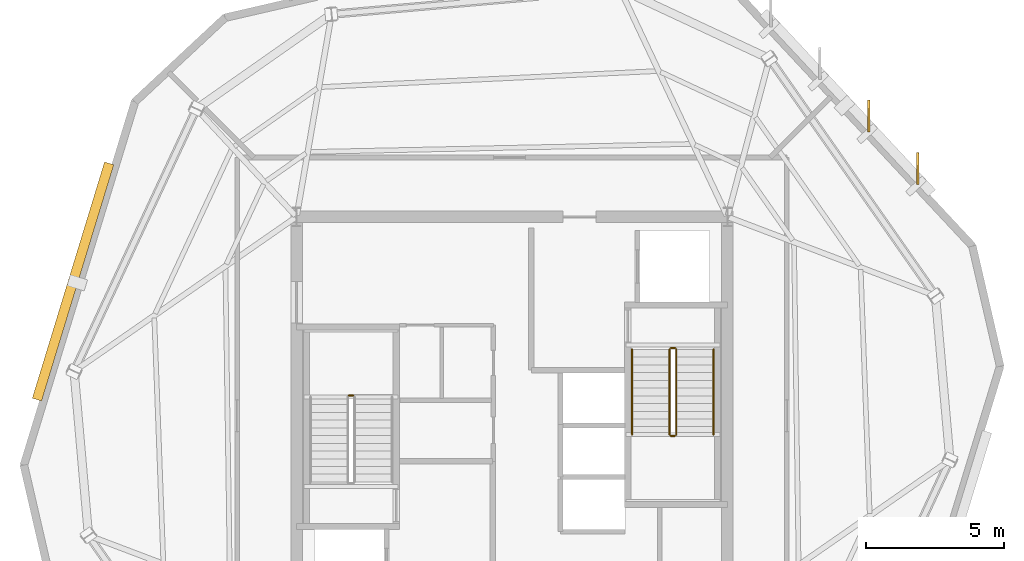
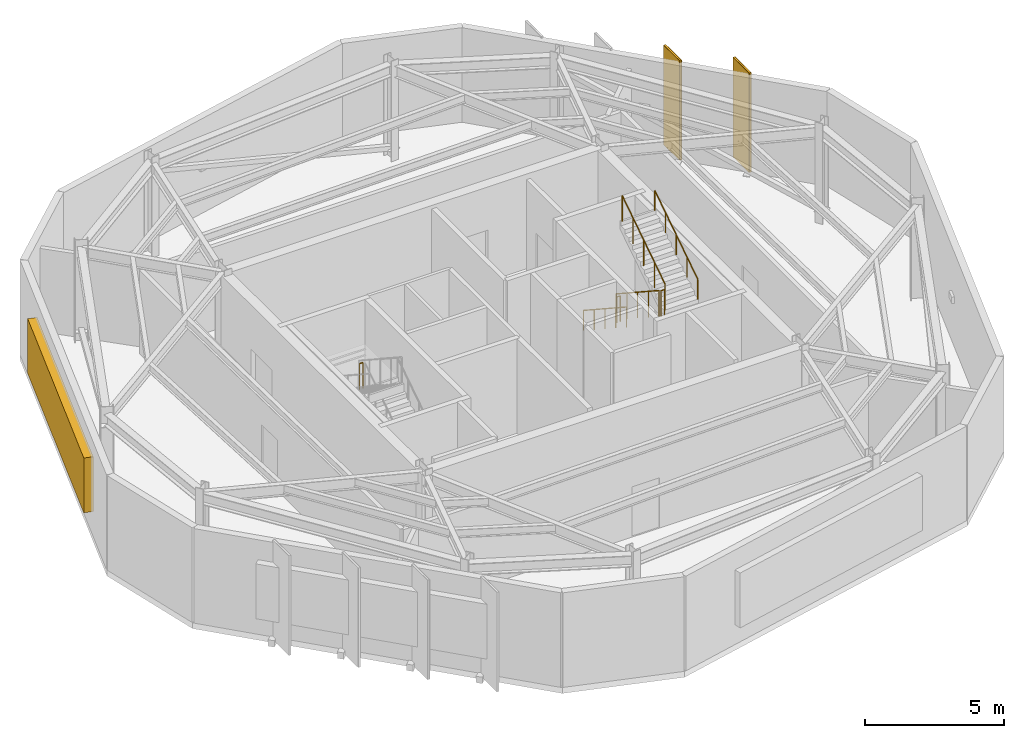
# One storey, part 6 of 7: 7 railings, 3 shading devices, 2 coverings.
"""IFC4 building model written with IfcOpenShell, lengths in metres."""

from ifc_helpers import new_model, si_unit, direction, frame, origin, origin_2d, place, context, subcontext, project, spatial, rectangle, circle, extrude, material, layer, layer_set, type_object, element, save


model = new_model("IFC4")

# Units and contexts
model_context = context("Model", 3, precision=1e-05, world=origin(), true_north=direction((0.0, 1.0)))
body_context = subcontext(model_context, "Body", "Model", "MODEL_VIEW")
ifc_project = project(units=[si_unit("LENGTHUNIT", "METRE"), si_unit("AREAUNIT", "SQUARE_METRE"), si_unit("VOLUMEUNIT", "CUBIC_METRE"), si_unit("PLANEANGLEUNIT", "RADIAN"), si_unit("MASSUNIT", "GRAM", prefix="KILO")], contexts=[model_context])

# Site, building, storey
site_placement = place(None, origin())
site = spatial("IfcSite", under=ifc_project, at=site_placement, CompositionType="ELEMENT")
building_placement = place(site_placement, origin())
building = spatial("IfcBuilding", under=site, at=building_placement, Name="Kranzbogen Civic Tower", CompositionType="ELEMENT")
storey_placement = place(building_placement, frame((0.0, 0.0, 318.199951171875)))
storey = spatial("IfcBuildingStorey", under=building, at=storey_placement, Name="L77", CompositionType="ELEMENT", Elevation=318.199951171875)

# Coverings
ifc_material_1 = material(Name="Pale Anodised Aluminium", Category="aluminium")
ifc_layer = layer(ifc_material_1, 0.02490234375, Name="Pale Anodised Aluminium")
ifc_layer_set = layer_set([ifc_layer], Name="Pale Anodised Aluminium")
covering_type = type_object("IfcCoveringType", Name="Anodised Aluminium Vertical Fin Cladding 25 mm", PredefinedType="CLADDING", material=ifc_layer_set)
for number, where, z_axis, x_axis, name in (
    (1, (39.693115234375, 33.947021484375, -0.14013671875), (0.0, 0.0, 1.0), (-0.005968990597, 0.999982185417, 0.0), "L77 vertical fin pale-metal cladding F6-1"),
    (2, (37.919921875, 35.84912109375, -0.14013671875), (0.0, 0.0, 1.0), (-0.005968990597, 0.999982185417, 0.0), "L77 vertical fin pale-metal cladding F6-2"),
):
    element("IfcCovering", number, at=place(storey_placement, frame(where, z_axis=z_axis, x_axis=x_axis)), inside=storey, type_object=covering_type, Name=name, PredefinedType="CLADDING", context=body_context, shape_type="SweptSolid", body=[
        extrude(rectangle(XDim=1.14990234375, YDim=0.094970703125, at=origin_2d()), origin(), (0.0, 0.0, 1.0), 4.360107421875),
    ])

# Railings
ifc_material_2 = material(Name="Steel S355", Category="steel")
railing_type_1 = type_object("IfcRailingType", Name="Internal Stair and Void Steel Guardrail 1150", PredefinedType="GUARDRAIL", material=ifc_material_2)
railing_1_placement = place(storey_placement, frame((19.25, 25.72998046875, 2.199951171875)))
element("IfcRailing", 3, at=railing_1_placement, inside=storey, type_object=railing_type_1, Name="L77 ST-T1 stair guard 2", PredefinedType="GUARDRAIL", context=body_context, shape_type="SweptSolid", body=[
    extrude(circle(Radius=0.02392578125, at=origin_2d()), frame((0.0, 0.0, 1.1259765625), z_axis=(-1.0, 0.0, 0.0), x_axis=(0.0, -1.0, 0.0)), (0.0, 0.0, 1.0), 0.14990234375),
    extrude(circle(Radius=0.02099609375, at=origin_2d()), origin(), (0.0, 0.0, 1.0), 1.101806640625),
    extrude(circle(Radius=0.02099609375, at=origin_2d()), frame((-0.14990234375, 0.0, 0.0)), (0.0, 0.0, 1.0), 1.101806640625),
])
railing_2_placement = place(storey_placement, frame((30.699951171875, 27.39990234375, 0.183349609375)))
element("IfcRailing", 4, at=railing_2_placement, inside=storey, type_object=railing_type_1, Name="L77 ST-T2 stair guard 1", PredefinedType="GUARDRAIL", context=body_context, shape_type="SweptSolid", body=[
    extrude(circle(Radius=0.02392578125, at=origin_2d()), frame((0.0, 0.0, 1.1259765625), z_axis=(0.0, -0.836613101238, 0.547794230379), x_axis=(1.0, 0.0, 0.0)), (0.0, 0.0, 1.0), 3.681396484375),
    extrude(circle(Radius=0.02099609375, at=origin_2d()), origin(), (0.0, 0.0, 1.0), 1.101806640625),
    extrude(circle(Radius=0.02099609375, at=origin_2d()), frame((0.0, -0.77001953125, 0.504150390625)), (0.0, 0.0, 1.0), 1.101806640625),
    extrude(circle(Radius=0.02099609375, at=origin_2d()), frame((0.0, -1.5400390625, 1.00830078125)), (0.0, 0.0, 1.0), 1.101806640625),
    extrude(circle(Radius=0.02099609375, at=origin_2d()), frame((0.0, -2.309814453125, 1.512451171875)), (0.0, 0.0, 1.0), 1.101806640625),
    extrude(circle(Radius=0.02099609375, at=origin_2d()), frame((0.0, -3.079833984375, 2.0166015625)), (0.0, 0.0, 1.0), 1.101806640625),
])
railing_3_placement = place(storey_placement, frame((30.75, 24.27001953125, 2.199951171875)))
element("IfcRailing", 5, at=railing_3_placement, inside=storey, type_object=railing_type_1, Name="L77 ST-T2 stair guard 2", PredefinedType="GUARDRAIL", context=body_context, shape_type="SweptSolid", body=[
    extrude(circle(Radius=0.02392578125, at=origin_2d()), frame((0.0, 0.0, 1.1259765625), z_axis=(1.0, 0.0, 0.0), x_axis=(0.0, 1.0, 0.0)), (0.0, 0.0, 1.0), 0.14990234375),
    extrude(circle(Radius=0.02099609375, at=origin_2d()), origin(), (0.0, 0.0, 1.0), 1.101806640625),
    extrude(circle(Radius=0.02099609375, at=origin_2d()), frame((0.14990234375, 0.0, 0.0)), (0.0, 0.0, 1.0), 1.101806640625),
])
railing_4_placement = place(storey_placement, frame((30.949951171875, 24.320068359375, 2.38330078125)))
element("IfcRailing", 6, at=railing_4_placement, inside=storey, type_object=railing_type_1, Name="L77 ST-T2 stair guard 3", PredefinedType="GUARDRAIL", context=body_context, shape_type="SweptSolid", body=[
    extrude(circle(Radius=0.02392578125, at=origin_2d()), frame((0.0, 0.0, 1.1259765625), z_axis=(0.0, 0.836582707638, 0.547840645882), x_axis=(-1.0, 0.0, 0.0)), (0.0, 0.0, 1.0), 3.681396484375),
    extrude(circle(Radius=0.02099609375, at=origin_2d()), origin(), (0.0, 0.0, 1.0), 1.101806640625),
    extrude(circle(Radius=0.02099609375, at=origin_2d()), frame((0.0, 0.77001953125, 0.504150390625)), (0.0, 0.0, 1.0), 1.101806640625),
    extrude(circle(Radius=0.02099609375, at=origin_2d()), frame((0.0, 1.5400390625, 1.00830078125)), (0.0, 0.0, 1.0), 1.101806640625),
    extrude(circle(Radius=0.02099609375, at=origin_2d()), frame((0.0, 2.309814453125, 1.5126953125)), (0.0, 0.0, 1.0), 1.101806640625),
    extrude(circle(Radius=0.02099609375, at=origin_2d()), frame((0.0, 3.079833984375, 2.016845703125)), (0.0, 0.0, 1.0), 1.101806640625),
])
railing_5_placement = place(storey_placement, frame((30.75, 27.449951171875, 0.0)))
element("IfcRailing", 7, at=railing_5_placement, inside=storey, type_object=railing_type_1, Name="L77 ST-T2 stair guard 4", PredefinedType="GUARDRAIL", context=body_context, shape_type="SweptSolid", body=[
    extrude(circle(Radius=0.02392578125, at=origin_2d()), frame((0.0, 0.0, 1.1259765625), z_axis=(1.0, 0.0, 0.0), x_axis=(0.0, 1.0, 0.0)), (0.0, 0.0, 1.0), 0.14990234375),
    extrude(circle(Radius=0.02099609375, at=origin_2d()), origin(), (0.0, 0.0, 1.0), 1.101806640625),
    extrude(circle(Radius=0.02099609375, at=origin_2d()), frame((0.14990234375, 0.0, 0.0)), (0.0, 0.0, 1.0), 1.101806640625),
])

# Shading devices
shading_device_type_1 = type_object("IfcShadingDeviceType", Name="Pale Anodised Aluminium Crown Fin 1150x75", PredefinedType="USERDEFINED", material=ifc_material_1)
for number, where, z_axis, x_axis, name in (
    (8, (39.693115234375, 33.947021484375, -0.14013671875), (0.0, 0.0, 1.0), (-0.005968990597, 0.999982185417, 0.0), "L77 vertical exterior shading fin F6-1"),
    (9, (37.919921875, 35.84912109375, -0.14013671875), (0.0, 0.0, 1.0), (-0.005968990597, 0.999982185417, 0.0), "L77 vertical exterior shading fin F6-2"),
):
    element("IfcShadingDevice", number, at=place(storey_placement, frame(where, z_axis=z_axis, x_axis=x_axis)), inside=storey, type_object=shading_device_type_1, Name=name, ObjectType="FIN", PredefinedType="USERDEFINED", context=body_context, shape_type="SweptSolid", body=[
        extrude(rectangle(XDim=1.14990234375, YDim=0.074951171875, at=origin_2d()), origin(), (0.0, 0.0, 1.0), 4.360107421875),
    ])
shading_device_type_2 = type_object("IfcShadingDeviceType", Name="Plant Band Acoustic Weather Louvre Module", PredefinedType="USERDEFINED", material=ifc_material_1)
shading_device_placement = place(storey_placement, frame((9.10693359375, 29.85888671875, 0.8701171875), z_axis=(0.0, 0.0, 1.0), x_axis=(-0.292405085878, -0.956294549683, 0.0)))
element("IfcShadingDevice", 10, at=shading_device_placement, inside=storey, type_object=shading_device_type_2, Name="L77 acoustic intake louvre 2", ObjectType="LOUVRE", PredefinedType="USERDEFINED", context=body_context, shape_type="SweptSolid", body=[
    extrude(rectangle(XDim=8.94287109375, YDim=0.35009765625, at=origin_2d()), origin(), (0.0, 0.0, 1.0), 2.39990234375),
])

# Railings
railing_type_2 = type_object("IfcRailingType", Name="Tubular Stainless Stair Wall Handrail 900", PredefinedType="HANDRAIL", material=ifc_material_1)
railing_6_placement = place(storey_placement, frame((29.35009765625, 27.39990234375, 0.183349609375)))
element("IfcRailing", 11, at=railing_6_placement, inside=storey, type_object=railing_type_2, Name="L77 ST-T2 stair handrail 1", PredefinedType="HANDRAIL", context=body_context, shape_type="SweptSolid", body=[
    extrude(circle(Radius=0.02392578125, at=origin_2d()), frame((0.0, 0.0, 0.8759765625), z_axis=(0.0, -0.836613101238, 0.547794230379), x_axis=(1.0, 0.0, 0.0)), (0.0, 0.0, 1.0), 3.681396484375),
    extrude(circle(Radius=0.02099609375, at=origin_2d()), origin(), (0.0, 0.0, 1.0), 0.851806640625),
    extrude(circle(Radius=0.02099609375, at=origin_2d()), frame((0.0, -0.77001953125, 0.504150390625)), (0.0, 0.0, 1.0), 0.851806640625),
    extrude(circle(Radius=0.02099609375, at=origin_2d()), frame((0.0, -1.5400390625, 1.00830078125)), (0.0, 0.0, 1.0), 0.851806640625),
    extrude(circle(Radius=0.02099609375, at=origin_2d()), frame((0.0, -2.309814453125, 1.512451171875)), (0.0, 0.0, 1.0), 0.851806640625),
    extrude(circle(Radius=0.02099609375, at=origin_2d()), frame((0.0, -3.079833984375, 2.0166015625)), (0.0, 0.0, 1.0), 0.851806640625),
])
railing_7_placement = place(storey_placement, frame((32.300048828125, 24.320068359375, 2.38330078125)))
element("IfcRailing", 12, at=railing_7_placement, inside=storey, type_object=railing_type_2, Name="L77 ST-T2 stair handrail 2", PredefinedType="HANDRAIL", context=body_context, shape_type="SweptSolid", body=[
    extrude(circle(Radius=0.02392578125, at=origin_2d()), frame((0.0, 0.0, 0.8759765625), z_axis=(0.0, 0.836582707638, 0.547840645882), x_axis=(-1.0, 0.0, 0.0)), (0.0, 0.0, 1.0), 3.681396484375),
    extrude(circle(Radius=0.02099609375, at=origin_2d()), origin(), (0.0, 0.0, 1.0), 0.851806640625),
    extrude(circle(Radius=0.02099609375, at=origin_2d()), frame((0.0, 0.77001953125, 0.504150390625)), (0.0, 0.0, 1.0), 0.851806640625),
    extrude(circle(Radius=0.02099609375, at=origin_2d()), frame((0.0, 1.5400390625, 1.00830078125)), (0.0, 0.0, 1.0), 0.851806640625),
    extrude(circle(Radius=0.02099609375, at=origin_2d()), frame((0.0, 2.309814453125, 1.5126953125)), (0.0, 0.0, 1.0), 0.851806640625),
    extrude(circle(Radius=0.02099609375, at=origin_2d()), frame((0.0, 3.079833984375, 2.016845703125)), (0.0, 0.0, 1.0), 0.851806640625),
])

save(model, "model.ifc")
